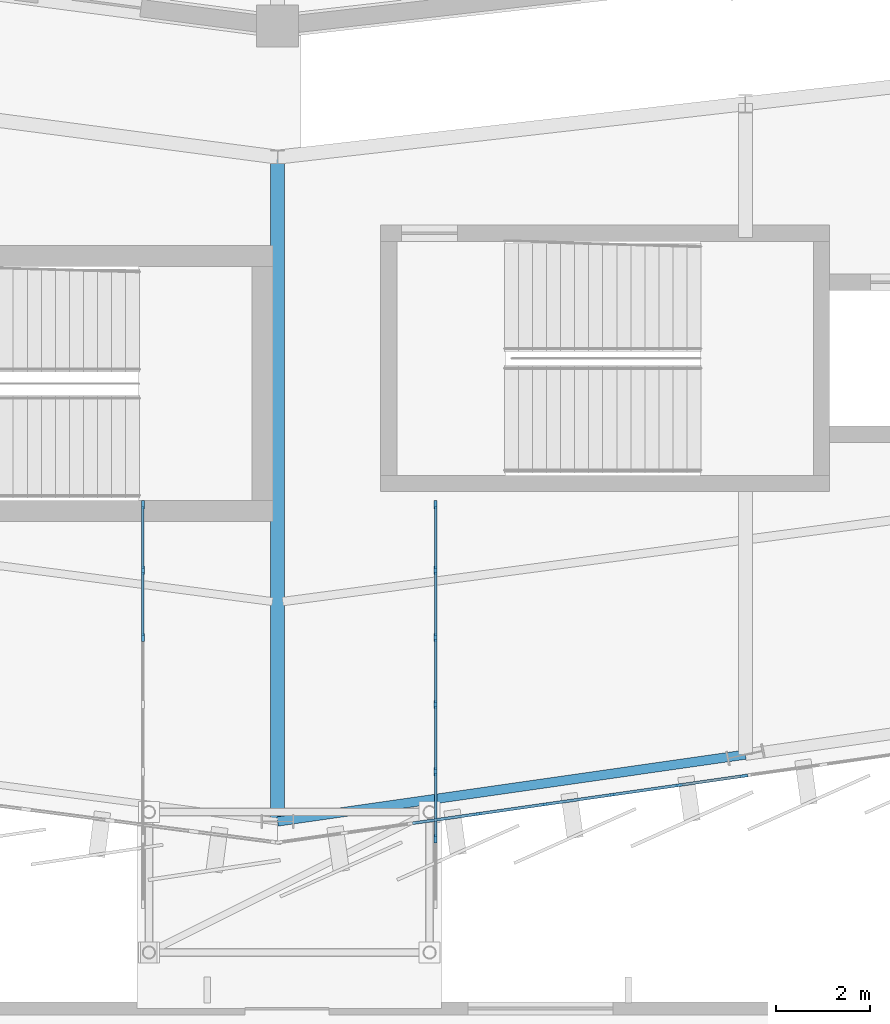
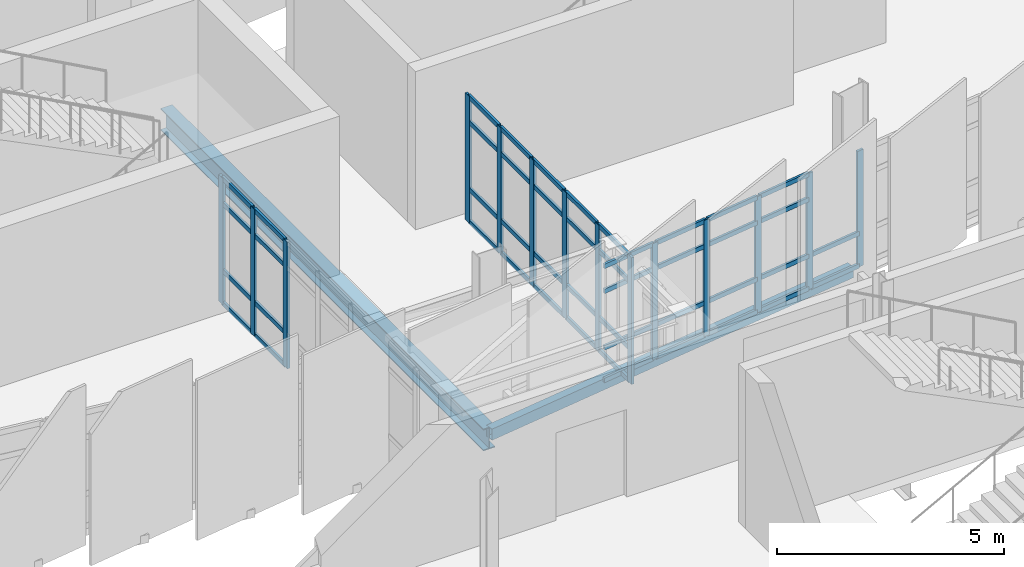
# One storey, part 36 of 125: 60 members, 2 beams, 3 elements without a shape of their own.
"""IFC4 building model written with IfcOpenShell, lengths in metres."""

from ifc_helpers import new_model, si_unit, direction, frame, origin, origin_2d, place, context, subcontext, project, spatial, rectangle, hollow_rectangle, i_section, extrude, material, layer, layer_set, material_profile, profile_set, type_object, element, aggregate, save


model = new_model("IFC4")

# Units and contexts
model_context = context("Model", 3, precision=1e-05, world=origin(), true_north=direction((0.0, 1.0)))
body_context = subcontext(model_context, "Body", "Model", "MODEL_VIEW")
ifc_project = project(units=[si_unit("LENGTHUNIT", "METRE"), si_unit("AREAUNIT", "SQUARE_METRE"), si_unit("VOLUMEUNIT", "CUBIC_METRE"), si_unit("PLANEANGLEUNIT", "RADIAN"), si_unit("MASSUNIT", "GRAM", prefix="KILO")], contexts=[model_context])

# Site, building, storey
site_placement = place(None, origin())
site = spatial("IfcSite", under=ifc_project, at=site_placement, CompositionType="ELEMENT")
building_placement = place(site_placement, origin())
building = spatial("IfcBuilding", under=site, at=building_placement, Name="Sohan Crest Arena", CompositionType="ELEMENT")
storey_placement = place(building_placement, frame((0.0, 0.0, 9.0)))
storey = spatial("IfcBuildingStorey", under=building, at=storey_placement, Name="L02", CompositionType="ELEMENT", Elevation=9.0)

# Curtain wall, members
ifc_material_1 = material(Name="Thermally broken anodised aluminium", Category="aluminium")
ifc_layer_1 = layer(ifc_material_1, 0.179931640625, Name="Thermally broken anodised aluminium")
ifc_layer_set_1 = layer_set([ifc_layer_1], Name="Thermally broken anodised aluminium")
curtain_wall_type_1 = type_object("IfcCurtainWallType", Name="ARC-CW01", PredefinedType="NOTDEFINED", material=ifc_layer_set_1)
curtain_wall_1_placement = place(storey_placement, origin())
curtain_wall_1 = element("IfcCurtainWall", 1, at=curtain_wall_1_placement, inside=storey, type_object=curtain_wall_type_1, Name="Unitised curtain wall CW-060", PredefinedType="NOTDEFINED")
ifc_material_profile_1 = material_profile(ifc_material_1, rectangle(XDim=0.06005859375, YDim=0.159912109375, at=origin_2d()), Name="ALU-MULL 60x160")
ifc_profile_set_1 = profile_set([ifc_material_profile_1], Name="Thermally broken anodised aluminium")
member_type_1 = type_object("IfcMemberType", Name="ARC-CW-ML01", PredefinedType="MULLION", material=ifc_profile_set_1)
member_1_placement = place(storey_placement, frame((102.28564453125, 30.162353515625, 0.0), z_axis=(0.0, 0.0, 1.0), x_axis=(-0.141462933734, 0.989943553128, 0.0)))
member_1 = element("IfcMember", 2, at=member_1_placement, type_object=member_type_1, Name="CW-060 mullion 4", PredefinedType="MULLION", context=body_context, shape_type="SweptSolid", body=[
    extrude(rectangle(XDim=0.06005859375, YDim=0.159912109375, at=origin_2d()), origin(), (0.0, 0.0, 1.0), 3.1201171875),
])
member_2_placement = place(storey_placement, frame((103.71435546875, 30.366455078125, 0.0), z_axis=(0.0, 0.0, 1.0), x_axis=(-0.141462933734, 0.989943553128, 0.0)))
member_2 = element("IfcMember", 3, at=member_2_placement, type_object=member_type_1, Name="CW-060 mullion 5", PredefinedType="MULLION", context=body_context, shape_type="SweptSolid", body=[
    extrude(rectangle(XDim=0.06005859375, YDim=0.159912109375, at=origin_2d()), origin(), (0.0, 0.0, 1.0), 3.1201171875),
])
member_3_placement = place(storey_placement, frame((105.142822265625, 30.57080078125, 0.0), z_axis=(0.0, 0.0, 1.0), x_axis=(-0.141462933734, 0.989943553128, 0.0)))
member_3 = element("IfcMember", 4, at=member_3_placement, type_object=member_type_1, Name="CW-060 mullion 6", PredefinedType="MULLION", context=body_context, shape_type="SweptSolid", body=[
    extrude(rectangle(XDim=0.06005859375, YDim=0.159912109375, at=origin_2d()), origin(), (0.0, 0.0, 1.0), 3.1201171875),
])
member_4_placement = place(storey_placement, frame((106.571533203125, 30.77490234375, 0.0), z_axis=(0.0, 0.0, 1.0), x_axis=(-0.141462933734, 0.989943553128, 0.0)))
member_4 = element("IfcMember", 5, at=member_4_placement, type_object=member_type_1, Name="CW-060 mullion 7", PredefinedType="MULLION", context=body_context, shape_type="SweptSolid", body=[
    extrude(rectangle(XDim=0.06005859375, YDim=0.159912109375, at=origin_2d()), origin(), (0.0, 0.0, 1.0), 3.1201171875),
])
member_5_placement = place(storey_placement, frame((107.97021484375, 30.974853515625, 0.0), z_axis=(0.0, 0.0, 1.0), x_axis=(-0.141462933734, 0.989943553128, 0.0)))
member_5 = element("IfcMember", 6, at=member_5_placement, type_object=member_type_1, Name="CW-060 mullion 8", PredefinedType="MULLION", context=body_context, shape_type="SweptSolid", body=[
    extrude(rectangle(XDim=0.06005859375, YDim=0.159912109375, at=origin_2d()), origin(), (0.0, 0.0, 1.0), 3.1201171875),
])

ifc_layer_2 = layer(ifc_material_1, 0.18994140625, Name="Thermally broken anodised aluminium")
ifc_layer_set_2 = layer_set([ifc_layer_2], Name="Thermally broken anodised aluminium")
curtain_wall_type_2 = type_object("IfcCurtainWallType", Name="ARC-CW05", PredefinedType="NOTDEFINED", material=ifc_layer_set_2)
curtain_wall_2_placement = place(storey_placement, origin())
curtain_wall_2 = element("IfcCurtainWall", 7, at=curtain_wall_2_placement, inside=storey, type_object=curtain_wall_type_2, Name="Unitised curtain wall CW-251", PredefinedType="NOTDEFINED")
ifc_material_profile_2 = material_profile(ifc_material_1, rectangle(XDim=0.06494140625, YDim=0.179931640625, at=origin_2d()), Name="ALU-MULL 65x180")
ifc_profile_set_2 = profile_set([ifc_material_profile_2], Name="Thermally broken anodised aluminium")
member_type_2 = type_object("IfcMemberType", Name="ARC-CW-ML02", PredefinedType="MULLION", material=ifc_profile_set_2)
member_6_placement = place(storey_placement, frame((95.1201171875, 33.933349609375, 0.0), z_axis=(0.0, 0.0, 1.0), x_axis=(-1.0, 0.0, 0.0)))
member_6 = element("IfcMember", 8, at=member_6_placement, type_object=member_type_2, Name="CW-251 mullion 5", PredefinedType="MULLION", context=body_context, shape_type="SweptSolid", body=[
    extrude(rectangle(XDim=0.06494140625, YDim=0.179931640625, at=origin_2d()), origin(), (0.0, 0.0, 1.0), 3.39990234375),
])
member_7_placement = place(storey_placement, frame((95.1201171875, 35.36669921875, 0.0), z_axis=(0.0, 0.0, 1.0), x_axis=(-1.0, 0.0, 0.0)))
member_7 = element("IfcMember", 9, at=member_7_placement, type_object=member_type_2, Name="CW-251 mullion 6", PredefinedType="MULLION", context=body_context, shape_type="SweptSolid", body=[
    extrude(rectangle(XDim=0.06494140625, YDim=0.179931640625, at=origin_2d()), origin(), (0.0, 0.0, 1.0), 3.39990234375),
])
member_8_placement = place(storey_placement, frame((95.1201171875, 36.767578125, 0.0), z_axis=(0.0, 0.0, 1.0), x_axis=(-1.0, 0.0, 0.0)))
member_8 = element("IfcMember", 10, at=member_8_placement, type_object=member_type_2, Name="CW-251 mullion 7", PredefinedType="MULLION", context=body_context, shape_type="SweptSolid", body=[
    extrude(rectangle(XDim=0.06494140625, YDim=0.179931640625, at=origin_2d()), origin(), (0.0, 0.0, 1.0), 3.39990234375),
])

curtain_wall_3_placement = place(storey_placement, origin())
curtain_wall_3 = element("IfcCurtainWall", 11, at=curtain_wall_3_placement, inside=storey, type_object=curtain_wall_type_2, Name="Unitised curtain wall CW-252", PredefinedType="NOTDEFINED")
member_9_placement = place(storey_placement, frame((101.3798828125, 29.63330078125, 0.0), z_axis=(0.0, 0.0, 1.0), x_axis=(-1.0, 0.0, 0.0)))
member_9 = element("IfcMember", 12, at=member_9_placement, type_object=member_type_2, Name="CW-252 mullion 2", PredefinedType="MULLION", context=body_context, shape_type="SweptSolid", body=[
    extrude(rectangle(XDim=0.06494140625, YDim=0.179931640625, at=origin_2d()), origin(), (0.0, 0.0, 1.0), 3.39990234375),
])
member_10_placement = place(storey_placement, frame((101.3798828125, 31.066650390625, 0.0), z_axis=(0.0, 0.0, 1.0), x_axis=(-1.0, 0.0, 0.0)))
member_10 = element("IfcMember", 13, at=member_10_placement, type_object=member_type_2, Name="CW-252 mullion 3", PredefinedType="MULLION", context=body_context, shape_type="SweptSolid", body=[
    extrude(rectangle(XDim=0.06494140625, YDim=0.179931640625, at=origin_2d()), origin(), (0.0, 0.0, 1.0), 3.39990234375),
])
member_11_placement = place(storey_placement, frame((101.3798828125, 32.5, 0.0), z_axis=(0.0, 0.0, 1.0), x_axis=(-1.0, 0.0, 0.0)))
member_11 = element("IfcMember", 14, at=member_11_placement, type_object=member_type_2, Name="CW-252 mullion 4", PredefinedType="MULLION", context=body_context, shape_type="SweptSolid", body=[
    extrude(rectangle(XDim=0.06494140625, YDim=0.179931640625, at=origin_2d()), origin(), (0.0, 0.0, 1.0), 3.39990234375),
])
member_12_placement = place(storey_placement, frame((101.3798828125, 33.933349609375, 0.0), z_axis=(0.0, 0.0, 1.0), x_axis=(-1.0, 0.0, 0.0)))
member_12 = element("IfcMember", 15, at=member_12_placement, type_object=member_type_2, Name="CW-252 mullion 5", PredefinedType="MULLION", context=body_context, shape_type="SweptSolid", body=[
    extrude(rectangle(XDim=0.06494140625, YDim=0.179931640625, at=origin_2d()), origin(), (0.0, 0.0, 1.0), 3.39990234375),
])
member_13_placement = place(storey_placement, frame((101.3798828125, 35.36669921875, 0.0), z_axis=(0.0, 0.0, 1.0), x_axis=(-1.0, 0.0, 0.0)))
member_13 = element("IfcMember", 16, at=member_13_placement, type_object=member_type_2, Name="CW-252 mullion 6", PredefinedType="MULLION", context=body_context, shape_type="SweptSolid", body=[
    extrude(rectangle(XDim=0.06494140625, YDim=0.179931640625, at=origin_2d()), origin(), (0.0, 0.0, 1.0), 3.39990234375),
])
member_14_placement = place(storey_placement, frame((101.3798828125, 36.767578125, 0.0), z_axis=(0.0, 0.0, 1.0), x_axis=(-1.0, 0.0, 0.0)))
member_14 = element("IfcMember", 17, at=member_14_placement, type_object=member_type_2, Name="CW-252 mullion 7", PredefinedType="MULLION", context=body_context, shape_type="SweptSolid", body=[
    extrude(rectangle(XDim=0.06494140625, YDim=0.179931640625, at=origin_2d()), origin(), (0.0, 0.0, 1.0), 3.39990234375),
])

# Member
ifc_material_profile_3 = material_profile(ifc_material_1, rectangle(XDim=0.06005859375, YDim=0.1201171875, at=origin_2d()), Name="ALU-TRAN 60x120")
ifc_profile_set_3 = profile_set([ifc_material_profile_3], Name="Thermally broken anodised aluminium")
member_type_3 = type_object("IfcMemberType", Name="ARC-CW-TR01", PredefinedType="USERDEFINED", material=ifc_profile_set_3)
member_15_placement = place(storey_placement, frame((100.886962890625, 29.962646484375, 0.030029296875), z_axis=(0.989953023856, 0.141396642673, 0.0), x_axis=(-0.141396642673, 0.989953023856, 0.0)))
member_15 = element("IfcMember", 18, at=member_15_placement, type_object=member_type_3, Name="CW-060 transom 3.1", ObjectType="TRANSOM", PredefinedType="USERDEFINED", context=body_context, shape_type="SweptSolid", body=[
    extrude(rectangle(XDim=0.06005859375, YDim=0.1201171875, at=origin_2d()), origin(), (0.0, 0.0, 1.0), 1.383056640625),
])

member_16_placement = place(storey_placement, frame((100.886962890625, 29.962646484375, 0.89990234375), z_axis=(0.989953023856, 0.141396642673, 0.0), x_axis=(-0.141396642673, 0.989953023856, 0.0)))
member_16 = element("IfcMember", 19, at=member_16_placement, type_object=member_type_3, Name="CW-060 transom 3.2", ObjectType="TRANSOM", PredefinedType="USERDEFINED", context=body_context, shape_type="SweptSolid", body=[
    extrude(rectangle(XDim=0.06005859375, YDim=0.1201171875, at=origin_2d()), origin(), (0.0, 0.0, 1.0), 1.383056640625),
])

member_17_placement = place(storey_placement, frame((100.886962890625, 29.962646484375, 2.419921875), z_axis=(0.989953023856, 0.141396642673, 0.0), x_axis=(-0.141396642673, 0.989953023856, 0.0)))
member_17 = element("IfcMember", 20, at=member_17_placement, type_object=member_type_3, Name="CW-060 transom 3.3", ObjectType="TRANSOM", PredefinedType="USERDEFINED", context=body_context, shape_type="SweptSolid", body=[
    extrude(rectangle(XDim=0.06005859375, YDim=0.1201171875, at=origin_2d()), origin(), (0.0, 0.0, 1.0), 1.383056640625),
])

member_18_placement = place(storey_placement, frame((100.886962890625, 29.962646484375, 3.090087890625), z_axis=(0.989953023856, 0.141396642673, 0.0), x_axis=(-0.141396642673, 0.989953023856, 0.0)))
member_18 = element("IfcMember", 21, at=member_18_placement, type_object=member_type_3, Name="CW-060 transom 3.4", ObjectType="TRANSOM", PredefinedType="USERDEFINED", context=body_context, shape_type="SweptSolid", body=[
    extrude(rectangle(XDim=0.06005859375, YDim=0.1201171875, at=origin_2d()), origin(), (0.0, 0.0, 1.0), 1.383056640625),
])

member_19_placement = place(storey_placement, frame((102.3154296875, 30.166748046875, 0.030029296875), z_axis=(0.989953023856, 0.141396642673, 0.0), x_axis=(-0.141396642673, 0.989953023856, 0.0)))
member_19 = element("IfcMember", 22, at=member_19_placement, type_object=member_type_3, Name="CW-060 transom 4.1", ObjectType="TRANSOM", PredefinedType="USERDEFINED", context=body_context, shape_type="SweptSolid", body=[
    extrude(rectangle(XDim=0.06005859375, YDim=0.1201171875, at=origin_2d()), origin(), (0.0, 0.0, 1.0), 1.383056640625),
])

member_20_placement = place(storey_placement, frame((102.3154296875, 30.166748046875, 0.89990234375), z_axis=(0.989953023856, 0.141396642673, 0.0), x_axis=(-0.141396642673, 0.989953023856, 0.0)))
member_20 = element("IfcMember", 23, at=member_20_placement, type_object=member_type_3, Name="CW-060 transom 4.2", ObjectType="TRANSOM", PredefinedType="USERDEFINED", context=body_context, shape_type="SweptSolid", body=[
    extrude(rectangle(XDim=0.06005859375, YDim=0.1201171875, at=origin_2d()), origin(), (0.0, 0.0, 1.0), 1.383056640625),
])

member_21_placement = place(storey_placement, frame((102.3154296875, 30.166748046875, 2.419921875), z_axis=(0.989953023856, 0.141396642673, 0.0), x_axis=(-0.141396642673, 0.989953023856, 0.0)))
member_21 = element("IfcMember", 24, at=member_21_placement, type_object=member_type_3, Name="CW-060 transom 4.3", ObjectType="TRANSOM", PredefinedType="USERDEFINED", context=body_context, shape_type="SweptSolid", body=[
    extrude(rectangle(XDim=0.06005859375, YDim=0.1201171875, at=origin_2d()), origin(), (0.0, 0.0, 1.0), 1.383056640625),
])

member_22_placement = place(storey_placement, frame((102.3154296875, 30.166748046875, 3.090087890625), z_axis=(0.989953023856, 0.141396642673, 0.0), x_axis=(-0.141396642673, 0.989953023856, 0.0)))
member_22 = element("IfcMember", 25, at=member_22_placement, type_object=member_type_3, Name="CW-060 transom 4.4", ObjectType="TRANSOM", PredefinedType="USERDEFINED", context=body_context, shape_type="SweptSolid", body=[
    extrude(rectangle(XDim=0.06005859375, YDim=0.1201171875, at=origin_2d()), origin(), (0.0, 0.0, 1.0), 1.383056640625),
])

member_23_placement = place(storey_placement, frame((103.743896484375, 30.370849609375, 0.030029296875), z_axis=(0.989953023856, 0.141396642673, 0.0), x_axis=(-0.141396642673, 0.989953023856, 0.0)))
member_23 = element("IfcMember", 26, at=member_23_placement, type_object=member_type_3, Name="CW-060 transom 5.1", ObjectType="TRANSOM", PredefinedType="USERDEFINED", context=body_context, shape_type="SweptSolid", body=[
    extrude(rectangle(XDim=0.06005859375, YDim=0.1201171875, at=origin_2d()), origin(), (0.0, 0.0, 1.0), 1.383056640625),
])

member_24_placement = place(storey_placement, frame((103.743896484375, 30.370849609375, 0.89990234375), z_axis=(0.989953023856, 0.141396642673, 0.0), x_axis=(-0.141396642673, 0.989953023856, 0.0)))
member_24 = element("IfcMember", 27, at=member_24_placement, type_object=member_type_3, Name="CW-060 transom 5.2", ObjectType="TRANSOM", PredefinedType="USERDEFINED", context=body_context, shape_type="SweptSolid", body=[
    extrude(rectangle(XDim=0.06005859375, YDim=0.1201171875, at=origin_2d()), origin(), (0.0, 0.0, 1.0), 1.383056640625),
])

member_25_placement = place(storey_placement, frame((103.743896484375, 30.370849609375, 2.419921875), z_axis=(0.989953023856, 0.141396642673, 0.0), x_axis=(-0.141396642673, 0.989953023856, 0.0)))
member_25 = element("IfcMember", 28, at=member_25_placement, type_object=member_type_3, Name="CW-060 transom 5.3", ObjectType="TRANSOM", PredefinedType="USERDEFINED", context=body_context, shape_type="SweptSolid", body=[
    extrude(rectangle(XDim=0.06005859375, YDim=0.1201171875, at=origin_2d()), origin(), (0.0, 0.0, 1.0), 1.383056640625),
])

member_26_placement = place(storey_placement, frame((103.743896484375, 30.370849609375, 3.090087890625), z_axis=(0.989953023856, 0.141396642673, 0.0), x_axis=(-0.141396642673, 0.989953023856, 0.0)))
member_26 = element("IfcMember", 29, at=member_26_placement, type_object=member_type_3, Name="CW-060 transom 5.4", ObjectType="TRANSOM", PredefinedType="USERDEFINED", context=body_context, shape_type="SweptSolid", body=[
    extrude(rectangle(XDim=0.06005859375, YDim=0.1201171875, at=origin_2d()), origin(), (0.0, 0.0, 1.0), 1.383056640625),
])

member_27_placement = place(storey_placement, frame((105.172607421875, 30.574951171875, 0.030029296875), z_axis=(0.989953023856, 0.141396642673, 0.0), x_axis=(-0.141396642673, 0.989953023856, 0.0)))
member_27 = element("IfcMember", 30, at=member_27_placement, type_object=member_type_3, Name="CW-060 transom 6.1", ObjectType="TRANSOM", PredefinedType="USERDEFINED", context=body_context, shape_type="SweptSolid", body=[
    extrude(rectangle(XDim=0.06005859375, YDim=0.1201171875, at=origin_2d()), origin(), (0.0, 0.0, 1.0), 1.383056640625),
])

member_28_placement = place(storey_placement, frame((105.172607421875, 30.574951171875, 0.89990234375), z_axis=(0.989953023856, 0.141396642673, 0.0), x_axis=(-0.141396642673, 0.989953023856, 0.0)))
member_28 = element("IfcMember", 31, at=member_28_placement, type_object=member_type_3, Name="CW-060 transom 6.2", ObjectType="TRANSOM", PredefinedType="USERDEFINED", context=body_context, shape_type="SweptSolid", body=[
    extrude(rectangle(XDim=0.06005859375, YDim=0.1201171875, at=origin_2d()), origin(), (0.0, 0.0, 1.0), 1.383056640625),
])

member_29_placement = place(storey_placement, frame((105.172607421875, 30.574951171875, 2.419921875), z_axis=(0.989953023856, 0.141396642673, 0.0), x_axis=(-0.141396642673, 0.989953023856, 0.0)))
member_29 = element("IfcMember", 32, at=member_29_placement, type_object=member_type_3, Name="CW-060 transom 6.3", ObjectType="TRANSOM", PredefinedType="USERDEFINED", context=body_context, shape_type="SweptSolid", body=[
    extrude(rectangle(XDim=0.06005859375, YDim=0.1201171875, at=origin_2d()), origin(), (0.0, 0.0, 1.0), 1.383056640625),
])

member_30_placement = place(storey_placement, frame((105.172607421875, 30.574951171875, 3.090087890625), z_axis=(0.989953023856, 0.141396642673, 0.0), x_axis=(-0.141396642673, 0.989953023856, 0.0)))
member_30 = element("IfcMember", 33, at=member_30_placement, type_object=member_type_3, Name="CW-060 transom 6.4", ObjectType="TRANSOM", PredefinedType="USERDEFINED", context=body_context, shape_type="SweptSolid", body=[
    extrude(rectangle(XDim=0.06005859375, YDim=0.1201171875, at=origin_2d()), origin(), (0.0, 0.0, 1.0), 1.383056640625),
])

member_31_placement = place(storey_placement, frame((106.60107421875, 30.779052734375, 0.030029296875), z_axis=(0.989945885007, 0.141446614515, 0.0), x_axis=(-0.141446614515, 0.989945885007, 0.0)))
member_31 = element("IfcMember", 34, at=member_31_placement, type_object=member_type_3, Name="CW-060 transom 7.1", ObjectType="TRANSOM", PredefinedType="USERDEFINED", context=body_context, shape_type="SweptSolid", body=[
    extrude(rectangle(XDim=0.06005859375, YDim=0.1201171875, at=origin_2d()), origin(), (0.0, 0.0, 1.0), 1.353271484375),
])

member_32_placement = place(storey_placement, frame((106.60107421875, 30.779052734375, 0.89990234375), z_axis=(0.989945885007, 0.141446614515, 0.0), x_axis=(-0.141446614515, 0.989945885007, 0.0)))
member_32 = element("IfcMember", 35, at=member_32_placement, type_object=member_type_3, Name="CW-060 transom 7.2", ObjectType="TRANSOM", PredefinedType="USERDEFINED", context=body_context, shape_type="SweptSolid", body=[
    extrude(rectangle(XDim=0.06005859375, YDim=0.1201171875, at=origin_2d()), origin(), (0.0, 0.0, 1.0), 1.353271484375),
])

aggregate(curtain_wall_1, [member_1, member_2, member_3, member_4, member_5, member_15, member_16, member_17, member_18, member_19, member_20, member_21, member_22, member_23, member_24, member_25, member_26, member_27, member_28, member_29, member_30, member_31, member_32])

member_33_placement = place(storey_placement, frame((95.1201171875, 33.9658203125, 0.030029296875), z_axis=(0.0, 1.0, 0.0), x_axis=(-1.0, 0.0, 0.0)))
member_33 = element("IfcMember", 36, at=member_33_placement, type_object=member_type_3, Name="CW-251 transom 5.1", ObjectType="TRANSOM", PredefinedType="USERDEFINED", context=body_context, shape_type="SweptSolid", body=[
    extrude(rectangle(XDim=0.06005859375, YDim=0.1201171875, at=origin_2d()), origin(), (0.0, 0.0, 1.0), 1.368408203125),
])

member_34_placement = place(storey_placement, frame((95.1201171875, 33.9658203125, 0.89990234375), z_axis=(0.0, 1.0, 0.0), x_axis=(-1.0, 0.0, 0.0)))
member_34 = element("IfcMember", 37, at=member_34_placement, type_object=member_type_3, Name="CW-251 transom 5.2", ObjectType="TRANSOM", PredefinedType="USERDEFINED", context=body_context, shape_type="SweptSolid", body=[
    extrude(rectangle(XDim=0.06005859375, YDim=0.1201171875, at=origin_2d()), origin(), (0.0, 0.0, 1.0), 1.368408203125),
])

member_35_placement = place(storey_placement, frame((95.1201171875, 33.9658203125, 2.699951171875), z_axis=(0.0, 1.0, 0.0), x_axis=(-1.0, 0.0, 0.0)))
member_35 = element("IfcMember", 38, at=member_35_placement, type_object=member_type_3, Name="CW-251 transom 5.3", ObjectType="TRANSOM", PredefinedType="USERDEFINED", context=body_context, shape_type="SweptSolid", body=[
    extrude(rectangle(XDim=0.06005859375, YDim=0.1201171875, at=origin_2d()), origin(), (0.0, 0.0, 1.0), 1.368408203125),
])

member_36_placement = place(storey_placement, frame((95.1201171875, 33.9658203125, 3.3701171875), z_axis=(0.0, 1.0, 0.0), x_axis=(-1.0, 0.0, 0.0)))
member_36 = element("IfcMember", 39, at=member_36_placement, type_object=member_type_3, Name="CW-251 transom 5.4", ObjectType="TRANSOM", PredefinedType="USERDEFINED", context=body_context, shape_type="SweptSolid", body=[
    extrude(rectangle(XDim=0.06005859375, YDim=0.1201171875, at=origin_2d()), origin(), (0.0, 0.0, 1.0), 1.368408203125),
])

member_37_placement = place(storey_placement, frame((95.1201171875, 35.399169921875, 0.030029296875), z_axis=(0.0, 1.0, 0.0), x_axis=(-1.0, 0.0, 0.0)))
member_37 = element("IfcMember", 40, at=member_37_placement, type_object=member_type_3, Name="CW-251 transom 6.1", ObjectType="TRANSOM", PredefinedType="USERDEFINED", context=body_context, shape_type="SweptSolid", body=[
    extrude(rectangle(XDim=0.06005859375, YDim=0.1201171875, at=origin_2d()), origin(), (0.0, 0.0, 1.0), 1.3359375),
])

member_38_placement = place(storey_placement, frame((95.1201171875, 35.399169921875, 0.89990234375), z_axis=(0.0, 1.0, 0.0), x_axis=(-1.0, 0.0, 0.0)))
member_38 = element("IfcMember", 41, at=member_38_placement, type_object=member_type_3, Name="CW-251 transom 6.2", ObjectType="TRANSOM", PredefinedType="USERDEFINED", context=body_context, shape_type="SweptSolid", body=[
    extrude(rectangle(XDim=0.06005859375, YDim=0.1201171875, at=origin_2d()), origin(), (0.0, 0.0, 1.0), 1.3359375),
])

member_39_placement = place(storey_placement, frame((95.1201171875, 35.399169921875, 2.699951171875), z_axis=(0.0, 1.0, 0.0), x_axis=(-1.0, 0.0, 0.0)))
member_39 = element("IfcMember", 42, at=member_39_placement, type_object=member_type_3, Name="CW-251 transom 6.3", ObjectType="TRANSOM", PredefinedType="USERDEFINED", context=body_context, shape_type="SweptSolid", body=[
    extrude(rectangle(XDim=0.06005859375, YDim=0.1201171875, at=origin_2d()), origin(), (0.0, 0.0, 1.0), 1.3359375),
])

member_40_placement = place(storey_placement, frame((95.1201171875, 35.399169921875, 3.3701171875), z_axis=(0.0, 1.0, 0.0), x_axis=(-1.0, 0.0, 0.0)))
member_40 = element("IfcMember", 43, at=member_40_placement, type_object=member_type_3, Name="CW-251 transom 6.4", ObjectType="TRANSOM", PredefinedType="USERDEFINED", context=body_context, shape_type="SweptSolid", body=[
    extrude(rectangle(XDim=0.06005859375, YDim=0.1201171875, at=origin_2d()), origin(), (0.0, 0.0, 1.0), 1.3359375),
])

aggregate(curtain_wall_2, [member_6, member_7, member_8, member_33, member_34, member_35, member_36, member_37, member_38, member_39, member_40])

member_41_placement = place(storey_placement, frame((101.3798828125, 29.665771484375, 0.030029296875), z_axis=(0.0, 1.0, 0.0), x_axis=(-1.0, 0.0, 0.0)))
member_41 = element("IfcMember", 44, at=member_41_placement, type_object=member_type_3, Name="CW-252 transom 2.1", ObjectType="TRANSOM", PredefinedType="USERDEFINED", context=body_context, shape_type="SweptSolid", body=[
    extrude(rectangle(XDim=0.06005859375, YDim=0.1201171875, at=origin_2d()), origin(), (0.0, 0.0, 1.0), 1.368408203125),
])

member_42_placement = place(storey_placement, frame((101.3798828125, 29.665771484375, 0.89990234375), z_axis=(0.0, 1.0, 0.0), x_axis=(-1.0, 0.0, 0.0)))
member_42 = element("IfcMember", 45, at=member_42_placement, type_object=member_type_3, Name="CW-252 transom 2.2", ObjectType="TRANSOM", PredefinedType="USERDEFINED", context=body_context, shape_type="SweptSolid", body=[
    extrude(rectangle(XDim=0.06005859375, YDim=0.1201171875, at=origin_2d()), origin(), (0.0, 0.0, 1.0), 1.368408203125),
])

member_43_placement = place(storey_placement, frame((101.3798828125, 29.665771484375, 2.699951171875), z_axis=(0.0, 1.0, 0.0), x_axis=(-1.0, 0.0, 0.0)))
member_43 = element("IfcMember", 46, at=member_43_placement, type_object=member_type_3, Name="CW-252 transom 2.3", ObjectType="TRANSOM", PredefinedType="USERDEFINED", context=body_context, shape_type="SweptSolid", body=[
    extrude(rectangle(XDim=0.06005859375, YDim=0.1201171875, at=origin_2d()), origin(), (0.0, 0.0, 1.0), 1.368408203125),
])

member_44_placement = place(storey_placement, frame((101.3798828125, 29.665771484375, 3.3701171875), z_axis=(0.0, 1.0, 0.0), x_axis=(-1.0, 0.0, 0.0)))
member_44 = element("IfcMember", 47, at=member_44_placement, type_object=member_type_3, Name="CW-252 transom 2.4", ObjectType="TRANSOM", PredefinedType="USERDEFINED", context=body_context, shape_type="SweptSolid", body=[
    extrude(rectangle(XDim=0.06005859375, YDim=0.1201171875, at=origin_2d()), origin(), (0.0, 0.0, 1.0), 1.368408203125),
])

member_45_placement = place(storey_placement, frame((101.3798828125, 31.09912109375, 0.030029296875), z_axis=(0.0, 1.0, 0.0), x_axis=(-1.0, 0.0, 0.0)))
member_45 = element("IfcMember", 48, at=member_45_placement, type_object=member_type_3, Name="CW-252 transom 3.1", ObjectType="TRANSOM", PredefinedType="USERDEFINED", context=body_context, shape_type="SweptSolid", body=[
    extrude(rectangle(XDim=0.06005859375, YDim=0.1201171875, at=origin_2d()), origin(), (0.0, 0.0, 1.0), 1.368408203125),
])

member_46_placement = place(storey_placement, frame((101.3798828125, 31.09912109375, 0.89990234375), z_axis=(0.0, 1.0, 0.0), x_axis=(-1.0, 0.0, 0.0)))
member_46 = element("IfcMember", 49, at=member_46_placement, type_object=member_type_3, Name="CW-252 transom 3.2", ObjectType="TRANSOM", PredefinedType="USERDEFINED", context=body_context, shape_type="SweptSolid", body=[
    extrude(rectangle(XDim=0.06005859375, YDim=0.1201171875, at=origin_2d()), origin(), (0.0, 0.0, 1.0), 1.368408203125),
])

member_47_placement = place(storey_placement, frame((101.3798828125, 31.09912109375, 2.699951171875), z_axis=(0.0, 1.0, 0.0), x_axis=(-1.0, 0.0, 0.0)))
member_47 = element("IfcMember", 50, at=member_47_placement, type_object=member_type_3, Name="CW-252 transom 3.3", ObjectType="TRANSOM", PredefinedType="USERDEFINED", context=body_context, shape_type="SweptSolid", body=[
    extrude(rectangle(XDim=0.06005859375, YDim=0.1201171875, at=origin_2d()), origin(), (0.0, 0.0, 1.0), 1.368408203125),
])

member_48_placement = place(storey_placement, frame((101.3798828125, 31.09912109375, 3.3701171875), z_axis=(0.0, 1.0, 0.0), x_axis=(-1.0, 0.0, 0.0)))
member_48 = element("IfcMember", 51, at=member_48_placement, type_object=member_type_3, Name="CW-252 transom 3.4", ObjectType="TRANSOM", PredefinedType="USERDEFINED", context=body_context, shape_type="SweptSolid", body=[
    extrude(rectangle(XDim=0.06005859375, YDim=0.1201171875, at=origin_2d()), origin(), (0.0, 0.0, 1.0), 1.368408203125),
])

member_49_placement = place(storey_placement, frame((101.3798828125, 32.532470703125, 0.030029296875), z_axis=(0.0, 1.0, 0.0), x_axis=(-1.0, 0.0, 0.0)))
member_49 = element("IfcMember", 52, at=member_49_placement, type_object=member_type_3, Name="CW-252 transom 4.1", ObjectType="TRANSOM", PredefinedType="USERDEFINED", context=body_context, shape_type="SweptSolid", body=[
    extrude(rectangle(XDim=0.06005859375, YDim=0.1201171875, at=origin_2d()), origin(), (0.0, 0.0, 1.0), 1.368408203125),
])

member_50_placement = place(storey_placement, frame((101.3798828125, 32.532470703125, 0.89990234375), z_axis=(0.0, 1.0, 0.0), x_axis=(-1.0, 0.0, 0.0)))
member_50 = element("IfcMember", 53, at=member_50_placement, type_object=member_type_3, Name="CW-252 transom 4.2", ObjectType="TRANSOM", PredefinedType="USERDEFINED", context=body_context, shape_type="SweptSolid", body=[
    extrude(rectangle(XDim=0.06005859375, YDim=0.1201171875, at=origin_2d()), origin(), (0.0, 0.0, 1.0), 1.368408203125),
])

member_51_placement = place(storey_placement, frame((101.3798828125, 32.532470703125, 2.699951171875), z_axis=(0.0, 1.0, 0.0), x_axis=(-1.0, 0.0, 0.0)))
member_51 = element("IfcMember", 54, at=member_51_placement, type_object=member_type_3, Name="CW-252 transom 4.3", ObjectType="TRANSOM", PredefinedType="USERDEFINED", context=body_context, shape_type="SweptSolid", body=[
    extrude(rectangle(XDim=0.06005859375, YDim=0.1201171875, at=origin_2d()), origin(), (0.0, 0.0, 1.0), 1.368408203125),
])

member_52_placement = place(storey_placement, frame((101.3798828125, 32.532470703125, 3.3701171875), z_axis=(0.0, 1.0, 0.0), x_axis=(-1.0, 0.0, 0.0)))
member_52 = element("IfcMember", 55, at=member_52_placement, type_object=member_type_3, Name="CW-252 transom 4.4", ObjectType="TRANSOM", PredefinedType="USERDEFINED", context=body_context, shape_type="SweptSolid", body=[
    extrude(rectangle(XDim=0.06005859375, YDim=0.1201171875, at=origin_2d()), origin(), (0.0, 0.0, 1.0), 1.368408203125),
])

member_53_placement = place(storey_placement, frame((101.3798828125, 33.9658203125, 0.030029296875), z_axis=(0.0, 1.0, 0.0), x_axis=(-1.0, 0.0, 0.0)))
member_53 = element("IfcMember", 56, at=member_53_placement, type_object=member_type_3, Name="CW-252 transom 5.1", ObjectType="TRANSOM", PredefinedType="USERDEFINED", context=body_context, shape_type="SweptSolid", body=[
    extrude(rectangle(XDim=0.06005859375, YDim=0.1201171875, at=origin_2d()), origin(), (0.0, 0.0, 1.0), 1.368408203125),
])

member_54_placement = place(storey_placement, frame((101.3798828125, 33.9658203125, 0.89990234375), z_axis=(0.0, 1.0, 0.0), x_axis=(-1.0, 0.0, 0.0)))
member_54 = element("IfcMember", 57, at=member_54_placement, type_object=member_type_3, Name="CW-252 transom 5.2", ObjectType="TRANSOM", PredefinedType="USERDEFINED", context=body_context, shape_type="SweptSolid", body=[
    extrude(rectangle(XDim=0.06005859375, YDim=0.1201171875, at=origin_2d()), origin(), (0.0, 0.0, 1.0), 1.368408203125),
])

member_55_placement = place(storey_placement, frame((101.3798828125, 33.9658203125, 2.699951171875), z_axis=(0.0, 1.0, 0.0), x_axis=(-1.0, 0.0, 0.0)))
member_55 = element("IfcMember", 58, at=member_55_placement, type_object=member_type_3, Name="CW-252 transom 5.3", ObjectType="TRANSOM", PredefinedType="USERDEFINED", context=body_context, shape_type="SweptSolid", body=[
    extrude(rectangle(XDim=0.06005859375, YDim=0.1201171875, at=origin_2d()), origin(), (0.0, 0.0, 1.0), 1.368408203125),
])

member_56_placement = place(storey_placement, frame((101.3798828125, 33.9658203125, 3.3701171875), z_axis=(0.0, 1.0, 0.0), x_axis=(-1.0, 0.0, 0.0)))
member_56 = element("IfcMember", 59, at=member_56_placement, type_object=member_type_3, Name="CW-252 transom 5.4", ObjectType="TRANSOM", PredefinedType="USERDEFINED", context=body_context, shape_type="SweptSolid", body=[
    extrude(rectangle(XDim=0.06005859375, YDim=0.1201171875, at=origin_2d()), origin(), (0.0, 0.0, 1.0), 1.368408203125),
])

member_57_placement = place(storey_placement, frame((101.3798828125, 35.399169921875, 0.030029296875), z_axis=(0.0, 1.0, 0.0), x_axis=(-1.0, 0.0, 0.0)))
member_57 = element("IfcMember", 60, at=member_57_placement, type_object=member_type_3, Name="CW-252 transom 6.1", ObjectType="TRANSOM", PredefinedType="USERDEFINED", context=body_context, shape_type="SweptSolid", body=[
    extrude(rectangle(XDim=0.06005859375, YDim=0.1201171875, at=origin_2d()), origin(), (0.0, 0.0, 1.0), 1.3359375),
])

member_58_placement = place(storey_placement, frame((101.3798828125, 35.399169921875, 0.89990234375), z_axis=(0.0, 1.0, 0.0), x_axis=(-1.0, 0.0, 0.0)))
member_58 = element("IfcMember", 61, at=member_58_placement, type_object=member_type_3, Name="CW-252 transom 6.2", ObjectType="TRANSOM", PredefinedType="USERDEFINED", context=body_context, shape_type="SweptSolid", body=[
    extrude(rectangle(XDim=0.06005859375, YDim=0.1201171875, at=origin_2d()), origin(), (0.0, 0.0, 1.0), 1.3359375),
])

member_59_placement = place(storey_placement, frame((101.3798828125, 35.399169921875, 2.699951171875), z_axis=(0.0, 1.0, 0.0), x_axis=(-1.0, 0.0, 0.0)))
member_59 = element("IfcMember", 62, at=member_59_placement, type_object=member_type_3, Name="CW-252 transom 6.3", ObjectType="TRANSOM", PredefinedType="USERDEFINED", context=body_context, shape_type="SweptSolid", body=[
    extrude(rectangle(XDim=0.06005859375, YDim=0.1201171875, at=origin_2d()), origin(), (0.0, 0.0, 1.0), 1.3359375),
])

member_60_placement = place(storey_placement, frame((101.3798828125, 35.399169921875, 3.3701171875), z_axis=(0.0, 1.0, 0.0), x_axis=(-1.0, 0.0, 0.0)))
member_60 = element("IfcMember", 63, at=member_60_placement, type_object=member_type_3, Name="CW-252 transom 6.4", ObjectType="TRANSOM", PredefinedType="USERDEFINED", context=body_context, shape_type="SweptSolid", body=[
    extrude(rectangle(XDim=0.06005859375, YDim=0.1201171875, at=origin_2d()), origin(), (0.0, 0.0, 1.0), 1.3359375),
])

aggregate(curtain_wall_3, [member_9, member_10, member_11, member_12, member_13, member_14, member_41, member_42, member_43, member_44, member_45, member_46, member_47, member_48, member_49, member_50, member_51, member_52, member_53, member_54, member_55, member_56, member_57, member_58, member_59, member_60])

# Beams
ifc_material_2 = material(Name="Steel S355", Category="steel")
ifc_material_profile_4 = material_profile(ifc_material_2, i_section(OverallWidth=0.300048828125, OverallDepth=0.590087890625, WebThickness=0.012939453125, FlangeThickness=0.02490234375, at=origin_2d()), Name="HEA 600")
ifc_profile_set_4 = profile_set([ifc_material_profile_4], Name="Steel S355")
beam_type_1 = type_object("IfcBeamType", Name="STR-BM-B11", PredefinedType="BEAM", material=ifc_profile_set_4)
beam_1_placement = place(storey_placement, frame((98.0, 44.199951171875, -0.544921875), z_axis=(0.0, -1.0, 0.0), x_axis=(1.0, 0.0, 0.0)))
element("IfcBeam", 64, at=beam_1_placement, inside=storey, type_object=beam_type_1, Name="Structural beam G-L02-1293", PredefinedType="BEAM", context=body_context, shape_type="SweptSolid", body=[
    extrude(i_section(OverallWidth=0.300048828125, OverallDepth=0.590087890625, WebThickness=0.012939453125, FlangeThickness=0.02490234375, at=origin_2d()), origin(), (0.0, 0.0, 1.0), 14.199951171875),
])
ifc_material_profile_5 = material_profile(ifc_material_2, hollow_rectangle(XDim=0.199951171875, YDim=0.300048828125, WallThickness=0.010009765625, at=origin_2d()), Name="RHS 300x200x10")
ifc_profile_set_5 = profile_set([ifc_material_profile_5], Name="Steel S355")
beam_type_2 = type_object("IfcBeamType", Name="STR-BM-SP03", PredefinedType="SPANDREL", material=ifc_profile_set_5)
beam_2_placement = place(storey_placement, frame((98.0, 30.0, -0.39990234375), z_axis=(0.989944175879, 0.141458575718, 0.0), x_axis=(-0.141458575718, 0.989944175879, 0.0)))
element("IfcBeam", 65, at=beam_2_placement, inside=storey, type_object=beam_type_2, Name="Structural beam SP-L02-1295", PredefinedType="SPANDREL", context=body_context, shape_type="SweptSolid", body=[
    extrude(hollow_rectangle(XDim=0.199951171875, YDim=0.300048828125, WallThickness=0.010009765625, at=origin_2d()), origin(), (0.0, 0.0, 1.0), 10.1015625),
])

save(model, "model.ifc")
